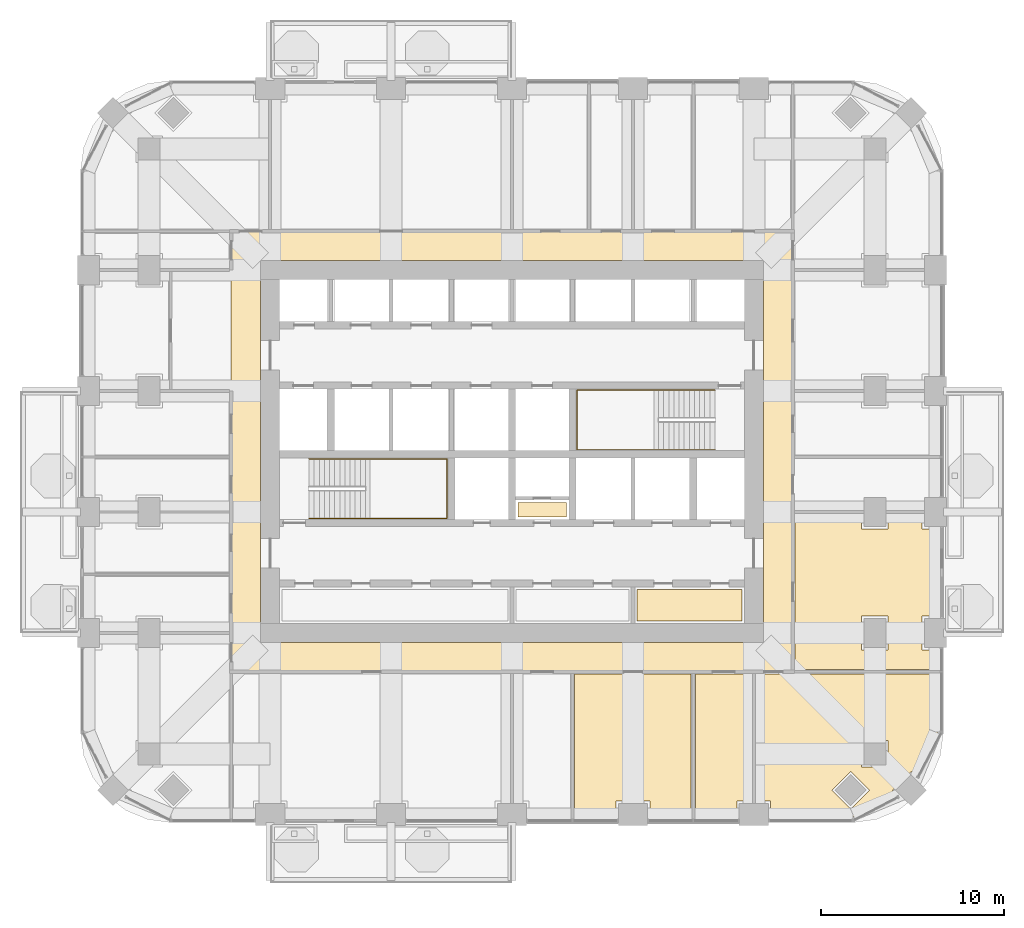
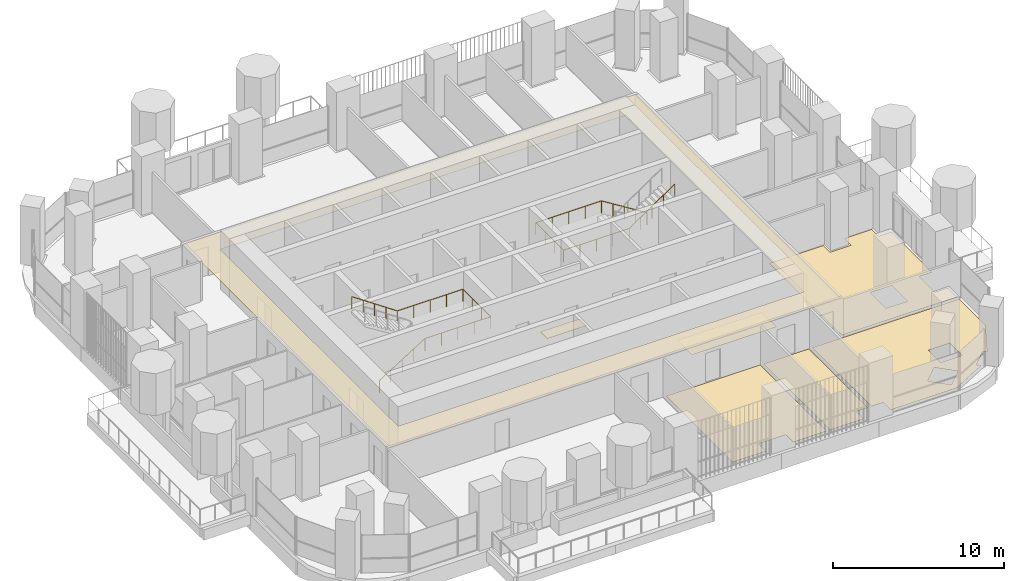
# One storey, part 17 of 20: 7 coverings, 2 railings.
"""IFC4 building model written with IfcOpenShell, lengths in metres."""

from ifc_helpers import new_model, si_unit, direction, frame, origin, place, context, subcontext, project, spatial, polyline, outline, extrude, material, layer, layer_set, type_object, element, save


model = new_model("IFC4")

# Units and contexts
model_context = context("Model", 3, precision=1e-05, world=origin(), true_north=direction((0.0, 1.0)))
body_context = subcontext(model_context, "Body", "Model", "MODEL_VIEW")
ifc_project = project(units=[si_unit("LENGTHUNIT", "METRE"), si_unit("AREAUNIT", "SQUARE_METRE"), si_unit("VOLUMEUNIT", "CUBIC_METRE"), si_unit("PLANEANGLEUNIT", "RADIAN"), si_unit("MASSUNIT", "GRAM", prefix="KILO")], contexts=[model_context])

# Site, building, storey
site_placement = place(None, origin())
site = spatial("IfcSite", under=ifc_project, at=site_placement, CompositionType="ELEMENT")
building_placement = place(site_placement, origin())
building = spatial("IfcBuilding", under=site, at=building_placement, Name="Cobogo Forest Laboratory Tower", CompositionType="ELEMENT")
storey_placement = place(building_placement, frame((0.0, 0.0, 168.300048828125)))
storey = spatial("IfcBuildingStorey", under=building, at=storey_placement, Name="L38", CompositionType="ELEMENT", Elevation=168.300048828125)

# Coverings
ifc_material_1 = material(Name="Mineral fibre ceiling tile", Category="ceiling")
ifc_layer_1 = layer(ifc_material_1, 0.02001953125)
ifc_layer_set_1 = layer_set([ifc_layer_1], Name="CL1 suspended ceiling")
covering_type_1 = type_object("IfcCoveringType", Name="CL1 suspended ceiling", PredefinedType="CEILING", material=ifc_layer_set_1)
covering_1_placement = place(storey_placement, frame((0.0, 0.0, 2.800048828125)))
element("IfcCovering", 1, at=covering_1_placement, inside=storey, type_object=covering_type_1, Name="Corridor ceiling L38", PredefinedType="CEILING", context=body_context, shape_type="SweptSolid", body=[
    extrude(outline(polyline([(11.074951171875, 11.074951171875), (11.074951171875, 35.125), (41.72509765625, 35.125), (41.72509765625, 11.074951171875), (11.074951171875, 11.074951171875)]), holes=[polyline([(40.125, 33.52490234375), (12.675048828125, 33.52490234375), (12.675048828125, 12.675048828125), (40.125, 12.675048828125), (40.125, 33.52490234375)])]), origin(), (0.0, 0.0, 1.0), 0.02001953125),
])
ifc_material_2 = material(Name="Carpet tile on raised access floor", Category="flooring")
ifc_layer_2 = layer(ifc_material_2, 0.008056640625)
ifc_layer_set_2 = layer_set([ifc_layer_2], Name="CT1 carpet tile floor 8")
covering_type_2 = type_object("IfcCoveringType", Name="CT1 carpet tile floor 8", PredefinedType="FLOORING", material=ifc_layer_set_2)
covering_2_placement = place(storey_placement, origin())
element("IfcCovering", 2, at=covering_2_placement, inside=storey, type_object=covering_type_2, Name="Carpet floor L38-03", PredefinedType="FLOORING", context=body_context, shape_type="SweptSolid", body=[
    extrude(outline(polyline([(36.179931640625, 10.955078125), (36.179931640625, 3.14990234375), (33.919921875, 3.14990234375), (33.919921875, 4.02001953125), (32.080078125, 4.02001953125), (32.080078125, 3.14990234375), (29.820068359375, 3.14990234375), (29.820068359375, 10.955078125), (36.179931640625, 10.955078125)])), origin(), (0.0, 0.0, 1.0), 0.008056640625),
])
covering_3_placement = place(storey_placement, origin())
element("IfcCovering", 3, at=covering_3_placement, inside=storey, type_object=covering_type_2, Name="Carpet floor L38-05", PredefinedType="FLOORING", context=body_context, shape_type="SweptSolid", body=[
    extrude(outline(polyline([(49.64990234375, 10.955078125), (49.64990234375, 7.84912109375), (48.384033203125, 5.434326171875), (48.181884765625, 5.63623046875), (47.163818359375, 4.617919921875), (47.36572265625, 4.416015625), (44.95068359375, 3.14990234375), (40.52001953125, 3.14990234375), (40.52001953125, 4.02001953125), (39.719970703125, 4.02001953125), (39.719970703125, 10.955078125), (49.64990234375, 10.955078125)]), holes=[polyline([(45.47998046875, 5.8798828125), (46.919921875, 5.8798828125), (46.919921875, 7.320068359375), (45.47998046875, 7.320068359375), (45.47998046875, 5.8798828125)]), polyline([(44.882080078125, 3.599853515625), (45.900146484375, 4.617919921875), (44.882080078125, 5.63623046875), (43.86376953125, 4.617919921875), (44.882080078125, 3.599853515625)])]), origin(), (0.0, 0.0, 1.0), 0.008056640625),
])
covering_4_placement = place(storey_placement, origin())
element("IfcCovering", 4, at=covering_4_placement, inside=storey, type_object=covering_type_2, Name="Carpet floor L38-06", PredefinedType="FLOORING", context=body_context, shape_type="SweptSolid", body=[
    extrude(outline(polyline([(41.844970703125, 19.679931640625), (45.47998046875, 19.679931640625), (45.47998046875, 18.8798828125), (46.919921875, 18.8798828125), (46.919921875, 19.679931640625), (48.780029296875, 19.679931640625), (48.780029296875, 18.8798828125), (49.64990234375, 18.8798828125), (49.64990234375, 14.1201171875), (48.780029296875, 14.1201171875), (48.780029296875, 12.280029296875), (49.64990234375, 12.280029296875), (49.64990234375, 11.195068359375), (41.844970703125, 11.195068359375), (41.844970703125, 19.679931640625)]), holes=[polyline([(46.919921875, 12.280029296875), (46.919921875, 14.1201171875), (45.47998046875, 14.1201171875), (45.47998046875, 12.280029296875), (46.919921875, 12.280029296875)])]), origin(), (0.0, 0.0, 1.0), 0.008056640625),
])
covering_5_placement = place(storey_placement, origin())
element("IfcCovering", 5, at=covering_5_placement, inside=storey, type_object=covering_type_2, Name="Carpet floor L38-30", PredefinedType="FLOORING", context=body_context, shape_type="SweptSolid", body=[
    extrude(outline(polyline([(29.3798828125, 19.52001953125), (26.719970703125, 19.52001953125), (26.719970703125, 20.330078125), (29.3798828125, 20.330078125), (29.3798828125, 19.52001953125)])), origin(), (0.0, 0.0, 1.0), 0.008056640625),
])
covering_6_placement = place(storey_placement, origin())
element("IfcCovering", 6, at=covering_6_placement, inside=storey, type_object=covering_type_2, Name="Carpet floor L38-34", PredefinedType="FLOORING", context=body_context, shape_type="SweptSolid", body=[
    extrude(outline(polyline([(38.955078125, 13.844970703125), (33.219970703125, 13.844970703125), (33.219970703125, 15.580078125), (38.955078125, 15.580078125), (38.955078125, 13.844970703125)])), origin(), (0.0, 0.0, 1.0), 0.008056640625),
])

# Railings
ifc_material_3 = material(Name="Stainless steel handrail", Category="steel")
railing_type = type_object("IfcRailingType", Name="HR handrail 900", PredefinedType="HANDRAIL", material=ifc_material_3)
railing_1_placement = place(storey_placement, frame((15.324951171875, 19.449951171875, 0.175048828125)))
element("IfcRailing", 7, at=railing_1_placement, inside=storey, type_object=railing_type, Name="Stair handrail ST1 L38", PredefinedType="HANDRAIL", context=body_context, shape_type="SweptSolid", body=[
    extrude(outline(polyline([(0.022216796875, 0.00927734375), (0.00927734375, 0.022216796875), (-0.00927734375, 0.022216796875), (-0.022216796875, 0.00927734375), (-0.022216796875, -0.00927734375), (-0.00927734375, -0.022216796875), (0.00927734375, -0.022216796875), (0.022216796875, -0.00927734375), (0.022216796875, 0.00927734375)])), frame((0.0, 0.0, 0.877685546875), z_axis=(0.848028513186, 0.0, 0.529950602248), x_axis=(0.0, 1.0, 0.0)), (0.0, 0.0, 1.0), 3.632080078125),
    extrude(outline(polyline([(0.022216796875, 0.00927734375), (0.00927734375, 0.022216796875), (-0.00927734375, 0.022216796875), (-0.022216796875, 0.00927734375), (-0.022216796875, -0.00927734375), (-0.00927734375, -0.022216796875), (0.00927734375, -0.022216796875), (0.022216796875, -0.00927734375), (0.022216796875, 0.00927734375)])), frame((3.080078125, 0.0, 2.802490234375), z_axis=(1.0, 0.0, 0.0), x_axis=(0.0, 1.0, 0.0)), (0.0, 0.0, 1.0), 4.445068359375),
    extrude(outline(polyline([(0.022216796875, 0.00927734375), (0.00927734375, 0.022216796875), (-0.00927734375, 0.022216796875), (-0.022216796875, 0.00927734375), (-0.022216796875, -0.00927734375), (-0.00927734375, -0.022216796875), (0.00927734375, -0.022216796875), (0.022216796875, -0.00927734375), (0.022216796875, 0.00927734375)])), frame((7.525146484375, 0.0, 2.802490234375), z_axis=(0.0, 1.0, 0.0), x_axis=(-1.0, 0.0, 0.0)), (0.0, 0.0, 1.0), 3.25),
    extrude(outline(polyline([(0.022216796875, 0.00927734375), (0.00927734375, 0.022216796875), (-0.00927734375, 0.022216796875), (-0.022216796875, 0.00927734375), (-0.022216796875, -0.00927734375), (-0.00927734375, -0.022216796875), (0.00927734375, -0.022216796875), (0.022216796875, -0.00927734375), (0.022216796875, 0.00927734375)])), frame((7.525146484375, 3.25, 2.802490234375), z_axis=(-1.0, 0.0, 0.0), x_axis=(0.0, -1.0, 0.0)), (0.0, 0.0, 1.0), 4.445068359375),
    extrude(outline(polyline([(0.022216796875, 0.00927734375), (0.00927734375, 0.022216796875), (-0.00927734375, 0.022216796875), (-0.022216796875, 0.00927734375), (-0.022216796875, -0.00927734375), (-0.00927734375, -0.022216796875), (0.00927734375, -0.022216796875), (0.022216796875, -0.00927734375), (0.022216796875, 0.00927734375)])), frame((3.080078125, 3.25, 2.802490234375), z_axis=(-0.826221800596, 0.0, 0.563344953133), x_axis=(0.0, -1.0, 0.0)), (0.0, 0.0, 1.0), 3.72802734375),
    extrude(outline(polyline([(0.019287109375, 0.008056640625), (0.008056640625, 0.019287109375), (-0.008056640625, 0.019287109375), (-0.019287109375, 0.008056640625), (-0.019287109375, -0.008056640625), (-0.008056640625, -0.019287109375), (0.008056640625, -0.019287109375), (0.019287109375, -0.008056640625), (0.019287109375, 0.008056640625)])), origin(), (0.0, 0.0, 1.0), 0.877685546875),
    extrude(outline(polyline([(0.019287109375, 0.008056640625), (0.008056640625, 0.019287109375), (-0.008056640625, 0.019287109375), (-0.019287109375, 0.008056640625), (-0.019287109375, -0.008056640625), (-0.008056640625, -0.019287109375), (0.008056640625, -0.019287109375), (0.019287109375, -0.008056640625), (0.019287109375, 0.008056640625)])), frame((0.77001953125, 0.0, 0.481201171875)), (0.0, 0.0, 1.0), 0.877685546875),
    extrude(outline(polyline([(0.019287109375, 0.008056640625), (0.008056640625, 0.019287109375), (-0.008056640625, 0.019287109375), (-0.019287109375, 0.008056640625), (-0.019287109375, -0.008056640625), (-0.008056640625, -0.019287109375), (0.008056640625, -0.019287109375), (0.019287109375, -0.008056640625), (0.019287109375, 0.008056640625)])), frame((1.5400390625, 0.0, 0.96240234375)), (0.0, 0.0, 1.0), 0.877685546875),
    extrude(outline(polyline([(0.019287109375, 0.008056640625), (0.008056640625, 0.019287109375), (-0.008056640625, 0.019287109375), (-0.019287109375, 0.008056640625), (-0.019287109375, -0.008056640625), (-0.008056640625, -0.019287109375), (0.008056640625, -0.019287109375), (0.019287109375, -0.008056640625), (0.019287109375, 0.008056640625)])), frame((2.31005859375, 0.0, 1.443603515625)), (0.0, 0.0, 1.0), 0.877685546875),
    extrude(outline(polyline([(0.019287109375, 0.008056640625), (0.008056640625, 0.019287109375), (-0.008056640625, 0.019287109375), (-0.019287109375, 0.008056640625), (-0.019287109375, -0.008056640625), (-0.008056640625, -0.019287109375), (0.008056640625, -0.019287109375), (0.019287109375, -0.008056640625), (0.019287109375, 0.008056640625)])), frame((3.080078125, 0.0, 1.9248046875)), (0.0, 0.0, 1.0), 0.877685546875),
    extrude(outline(polyline([(0.019287109375, 0.008056640625), (0.008056640625, 0.019287109375), (-0.008056640625, 0.019287109375), (-0.019287109375, 0.008056640625), (-0.019287109375, -0.008056640625), (-0.008056640625, -0.019287109375), (0.008056640625, -0.019287109375), (0.019287109375, -0.008056640625), (0.019287109375, 0.008056640625)])), frame((4.19140625, 0.0, 1.9248046875)), (0.0, 0.0, 1.0), 0.877685546875),
    extrude(outline(polyline([(0.019287109375, 0.008056640625), (0.008056640625, 0.019287109375), (-0.008056640625, 0.019287109375), (-0.019287109375, 0.008056640625), (-0.019287109375, -0.008056640625), (-0.008056640625, -0.019287109375), (0.008056640625, -0.019287109375), (0.019287109375, -0.008056640625), (0.019287109375, 0.008056640625)])), frame((5.302734375, 0.0, 1.9248046875)), (0.0, 0.0, 1.0), 0.877685546875),
    extrude(outline(polyline([(0.019287109375, 0.008056640625), (0.008056640625, 0.019287109375), (-0.008056640625, 0.019287109375), (-0.019287109375, 0.008056640625), (-0.019287109375, -0.008056640625), (-0.008056640625, -0.019287109375), (0.008056640625, -0.019287109375), (0.019287109375, -0.008056640625), (0.019287109375, 0.008056640625)])), frame((6.413818359375, 0.0, 1.9248046875)), (0.0, 0.0, 1.0), 0.877685546875),
    extrude(outline(polyline([(0.019287109375, 0.008056640625), (0.008056640625, 0.019287109375), (-0.008056640625, 0.019287109375), (-0.019287109375, 0.008056640625), (-0.019287109375, -0.008056640625), (-0.008056640625, -0.019287109375), (0.008056640625, -0.019287109375), (0.019287109375, -0.008056640625), (0.019287109375, 0.008056640625)])), frame((7.525146484375, 0.0, 1.9248046875)), (0.0, 0.0, 1.0), 0.877685546875),
    extrude(outline(polyline([(0.019287109375, 0.008056640625), (0.008056640625, 0.019287109375), (-0.008056640625, 0.019287109375), (-0.019287109375, 0.008056640625), (-0.019287109375, -0.008056640625), (-0.008056640625, -0.019287109375), (0.008056640625, -0.019287109375), (0.019287109375, -0.008056640625), (0.019287109375, 0.008056640625)])), frame((7.525146484375, 1.083251953125, 1.9248046875)), (0.0, 0.0, 1.0), 0.877685546875),
    extrude(outline(polyline([(0.019287109375, 0.008056640625), (0.008056640625, 0.019287109375), (-0.008056640625, 0.019287109375), (-0.019287109375, 0.008056640625), (-0.019287109375, -0.008056640625), (-0.008056640625, -0.019287109375), (0.008056640625, -0.019287109375), (0.019287109375, -0.008056640625), (0.019287109375, 0.008056640625)])), frame((7.525146484375, 2.166748046875, 1.9248046875)), (0.0, 0.0, 1.0), 0.877685546875),
    extrude(outline(polyline([(0.019287109375, 0.008056640625), (0.008056640625, 0.019287109375), (-0.008056640625, 0.019287109375), (-0.019287109375, 0.008056640625), (-0.019287109375, -0.008056640625), (-0.008056640625, -0.019287109375), (0.008056640625, -0.019287109375), (0.019287109375, -0.008056640625), (0.019287109375, 0.008056640625)])), frame((7.525146484375, 3.25, 1.9248046875)), (0.0, 0.0, 1.0), 0.877685546875),
    extrude(outline(polyline([(0.019287109375, 0.008056640625), (0.008056640625, 0.019287109375), (-0.008056640625, 0.019287109375), (-0.019287109375, 0.008056640625), (-0.019287109375, -0.008056640625), (-0.008056640625, -0.019287109375), (0.008056640625, -0.019287109375), (0.019287109375, -0.008056640625), (0.019287109375, 0.008056640625)])), frame((6.413818359375, 3.25, 1.9248046875)), (0.0, 0.0, 1.0), 0.877685546875),
    extrude(outline(polyline([(0.019287109375, 0.008056640625), (0.008056640625, 0.019287109375), (-0.008056640625, 0.019287109375), (-0.019287109375, 0.008056640625), (-0.019287109375, -0.008056640625), (-0.008056640625, -0.019287109375), (0.008056640625, -0.019287109375), (0.019287109375, -0.008056640625), (0.019287109375, 0.008056640625)])), frame((5.302734375, 3.25, 1.9248046875)), (0.0, 0.0, 1.0), 0.877685546875),
    extrude(outline(polyline([(0.019287109375, 0.008056640625), (0.008056640625, 0.019287109375), (-0.008056640625, 0.019287109375), (-0.019287109375, 0.008056640625), (-0.019287109375, -0.008056640625), (-0.008056640625, -0.019287109375), (0.008056640625, -0.019287109375), (0.019287109375, -0.008056640625), (0.019287109375, 0.008056640625)])), frame((4.19140625, 3.25, 1.9248046875)), (0.0, 0.0, 1.0), 0.877685546875),
    extrude(outline(polyline([(0.019287109375, 0.008056640625), (0.008056640625, 0.019287109375), (-0.008056640625, 0.019287109375), (-0.019287109375, 0.008056640625), (-0.019287109375, -0.008056640625), (-0.008056640625, -0.019287109375), (0.008056640625, -0.019287109375), (0.019287109375, -0.008056640625), (0.019287109375, 0.008056640625)])), frame((3.080078125, 3.25, 1.9248046875)), (0.0, 0.0, 1.0), 0.877685546875),
    extrude(outline(polyline([(0.019287109375, 0.008056640625), (0.008056640625, 0.019287109375), (-0.008056640625, 0.019287109375), (-0.019287109375, 0.008056640625), (-0.019287109375, -0.008056640625), (-0.008056640625, -0.019287109375), (0.008056640625, -0.019287109375), (0.019287109375, -0.008056640625), (0.019287109375, 0.008056640625)])), frame((2.31005859375, 3.25, 2.44970703125)), (0.0, 0.0, 1.0), 0.877685546875),
    extrude(outline(polyline([(0.019287109375, 0.008056640625), (0.008056640625, 0.019287109375), (-0.008056640625, 0.019287109375), (-0.019287109375, 0.008056640625), (-0.019287109375, -0.008056640625), (-0.008056640625, -0.019287109375), (0.008056640625, -0.019287109375), (0.019287109375, -0.008056640625), (0.019287109375, 0.008056640625)])), frame((1.5400390625, 3.25, 2.974853515625)), (0.0, 0.0, 1.0), 0.877685546875),
    extrude(outline(polyline([(0.019287109375, 0.008056640625), (0.008056640625, 0.019287109375), (-0.008056640625, 0.019287109375), (-0.019287109375, 0.008056640625), (-0.019287109375, -0.008056640625), (-0.008056640625, -0.019287109375), (0.008056640625, -0.019287109375), (0.019287109375, -0.008056640625), (0.019287109375, 0.008056640625)])), frame((0.77001953125, 3.25, 3.5)), (0.0, 0.0, 1.0), 0.877685546875),
    extrude(outline(polyline([(0.019287109375, 0.008056640625), (0.008056640625, 0.019287109375), (-0.008056640625, 0.019287109375), (-0.019287109375, 0.008056640625), (-0.019287109375, -0.008056640625), (-0.008056640625, -0.019287109375), (0.008056640625, -0.019287109375), (0.019287109375, -0.008056640625), (0.019287109375, 0.008056640625)])), frame((0.0, 3.25, 4.02490234375)), (0.0, 0.0, 1.0), 0.877685546875),
])
railing_2_placement = place(storey_placement, frame((37.47509765625, 26.449951171875, 0.175048828125)))
element("IfcRailing", 8, at=railing_2_placement, inside=storey, type_object=railing_type, Name="Stair handrail ST2 L38", PredefinedType="HANDRAIL", context=body_context, shape_type="SweptSolid", body=[
    extrude(outline(polyline([(0.022216796875, 0.00927734375), (0.00927734375, 0.022216796875), (-0.00927734375, 0.022216796875), (-0.022216796875, 0.00927734375), (-0.022216796875, -0.00927734375), (-0.00927734375, -0.022216796875), (0.00927734375, -0.022216796875), (0.022216796875, -0.00927734375), (0.022216796875, 0.00927734375)])), frame((0.0, 0.0, 0.877685546875), z_axis=(-0.848028513186, 0.0, 0.529950602248), x_axis=(0.0, -1.0, 0.0)), (0.0, 0.0, 1.0), 3.632080078125),
    extrude(outline(polyline([(0.022216796875, 0.00927734375), (0.00927734375, 0.022216796875), (-0.00927734375, 0.022216796875), (-0.022216796875, 0.00927734375), (-0.022216796875, -0.00927734375), (-0.00927734375, -0.022216796875), (0.00927734375, -0.022216796875), (0.022216796875, -0.00927734375), (0.022216796875, 0.00927734375)])), frame((-3.080078125, 0.0, 2.802490234375), z_axis=(-1.0, 0.0, 0.0), x_axis=(0.0, -1.0, 0.0)), (0.0, 0.0, 1.0), 4.445068359375),
    extrude(outline(polyline([(0.022216796875, 0.00927734375), (0.00927734375, 0.022216796875), (-0.00927734375, 0.022216796875), (-0.022216796875, 0.00927734375), (-0.022216796875, -0.00927734375), (-0.00927734375, -0.022216796875), (0.00927734375, -0.022216796875), (0.022216796875, -0.00927734375), (0.022216796875, 0.00927734375)])), frame((-7.525146484375, 0.0, 2.802490234375), z_axis=(0.0, -1.0, 0.0), x_axis=(1.0, 0.0, 0.0)), (0.0, 0.0, 1.0), 3.25),
    extrude(outline(polyline([(0.022216796875, 0.00927734375), (0.00927734375, 0.022216796875), (-0.00927734375, 0.022216796875), (-0.022216796875, 0.00927734375), (-0.022216796875, -0.00927734375), (-0.00927734375, -0.022216796875), (0.00927734375, -0.022216796875), (0.022216796875, -0.00927734375), (0.022216796875, 0.00927734375)])), frame((-7.525146484375, -3.25, 2.802490234375), z_axis=(1.0, 0.0, 0.0), x_axis=(0.0, 1.0, 0.0)), (0.0, 0.0, 1.0), 4.445068359375),
    extrude(outline(polyline([(0.022216796875, 0.00927734375), (0.00927734375, 0.022216796875), (-0.00927734375, 0.022216796875), (-0.022216796875, 0.00927734375), (-0.022216796875, -0.00927734375), (-0.00927734375, -0.022216796875), (0.00927734375, -0.022216796875), (0.022216796875, -0.00927734375), (0.022216796875, 0.00927734375)])), frame((-3.080078125, -3.25, 2.802490234375), z_axis=(0.826221800596, 0.0, 0.563344953133), x_axis=(0.0, 1.0, 0.0)), (0.0, 0.0, 1.0), 3.72802734375),
    extrude(outline(polyline([(0.019287109375, 0.008056640625), (0.008056640625, 0.019287109375), (-0.008056640625, 0.019287109375), (-0.019287109375, 0.008056640625), (-0.019287109375, -0.008056640625), (-0.008056640625, -0.019287109375), (0.008056640625, -0.019287109375), (0.019287109375, -0.008056640625), (0.019287109375, 0.008056640625)])), origin(), (0.0, 0.0, 1.0), 0.877685546875),
    extrude(outline(polyline([(0.019287109375, 0.008056640625), (0.008056640625, 0.019287109375), (-0.008056640625, 0.019287109375), (-0.019287109375, 0.008056640625), (-0.019287109375, -0.008056640625), (-0.008056640625, -0.019287109375), (0.008056640625, -0.019287109375), (0.019287109375, -0.008056640625), (0.019287109375, 0.008056640625)])), frame((-0.77001953125, 0.0, 0.481201171875)), (0.0, 0.0, 1.0), 0.877685546875),
    extrude(outline(polyline([(0.019287109375, 0.008056640625), (0.008056640625, 0.019287109375), (-0.008056640625, 0.019287109375), (-0.019287109375, 0.008056640625), (-0.019287109375, -0.008056640625), (-0.008056640625, -0.019287109375), (0.008056640625, -0.019287109375), (0.019287109375, -0.008056640625), (0.019287109375, 0.008056640625)])), frame((-1.5400390625, 0.0, 0.96240234375)), (0.0, 0.0, 1.0), 0.877685546875),
    extrude(outline(polyline([(0.019287109375, 0.008056640625), (0.008056640625, 0.019287109375), (-0.008056640625, 0.019287109375), (-0.019287109375, 0.008056640625), (-0.019287109375, -0.008056640625), (-0.008056640625, -0.019287109375), (0.008056640625, -0.019287109375), (0.019287109375, -0.008056640625), (0.019287109375, 0.008056640625)])), frame((-2.31005859375, 0.0, 1.443603515625)), (0.0, 0.0, 1.0), 0.877685546875),
    extrude(outline(polyline([(0.019287109375, 0.008056640625), (0.008056640625, 0.019287109375), (-0.008056640625, 0.019287109375), (-0.019287109375, 0.008056640625), (-0.019287109375, -0.008056640625), (-0.008056640625, -0.019287109375), (0.008056640625, -0.019287109375), (0.019287109375, -0.008056640625), (0.019287109375, 0.008056640625)])), frame((-3.080078125, 0.0, 1.9248046875)), (0.0, 0.0, 1.0), 0.877685546875),
    extrude(outline(polyline([(0.019287109375, 0.008056640625), (0.008056640625, 0.019287109375), (-0.008056640625, 0.019287109375), (-0.019287109375, 0.008056640625), (-0.019287109375, -0.008056640625), (-0.008056640625, -0.019287109375), (0.008056640625, -0.019287109375), (0.019287109375, -0.008056640625), (0.019287109375, 0.008056640625)])), frame((-4.19140625, 0.0, 1.9248046875)), (0.0, 0.0, 1.0), 0.877685546875),
    extrude(outline(polyline([(0.019287109375, 0.008056640625), (0.008056640625, 0.019287109375), (-0.008056640625, 0.019287109375), (-0.019287109375, 0.008056640625), (-0.019287109375, -0.008056640625), (-0.008056640625, -0.019287109375), (0.008056640625, -0.019287109375), (0.019287109375, -0.008056640625), (0.019287109375, 0.008056640625)])), frame((-5.302734375, 0.0, 1.9248046875)), (0.0, 0.0, 1.0), 0.877685546875),
    extrude(outline(polyline([(0.019287109375, 0.008056640625), (0.008056640625, 0.019287109375), (-0.008056640625, 0.019287109375), (-0.019287109375, 0.008056640625), (-0.019287109375, -0.008056640625), (-0.008056640625, -0.019287109375), (0.008056640625, -0.019287109375), (0.019287109375, -0.008056640625), (0.019287109375, 0.008056640625)])), frame((-6.413818359375, 0.0, 1.9248046875)), (0.0, 0.0, 1.0), 0.877685546875),
    extrude(outline(polyline([(0.019287109375, 0.008056640625), (0.008056640625, 0.019287109375), (-0.008056640625, 0.019287109375), (-0.019287109375, 0.008056640625), (-0.019287109375, -0.008056640625), (-0.008056640625, -0.019287109375), (0.008056640625, -0.019287109375), (0.019287109375, -0.008056640625), (0.019287109375, 0.008056640625)])), frame((-7.525146484375, 0.0, 1.9248046875)), (0.0, 0.0, 1.0), 0.877685546875),
    extrude(outline(polyline([(0.019287109375, 0.008056640625), (0.008056640625, 0.019287109375), (-0.008056640625, 0.019287109375), (-0.019287109375, 0.008056640625), (-0.019287109375, -0.008056640625), (-0.008056640625, -0.019287109375), (0.008056640625, -0.019287109375), (0.019287109375, -0.008056640625), (0.019287109375, 0.008056640625)])), frame((-7.525146484375, -1.083251953125, 1.9248046875)), (0.0, 0.0, 1.0), 0.877685546875),
    extrude(outline(polyline([(0.019287109375, 0.008056640625), (0.008056640625, 0.019287109375), (-0.008056640625, 0.019287109375), (-0.019287109375, 0.008056640625), (-0.019287109375, -0.008056640625), (-0.008056640625, -0.019287109375), (0.008056640625, -0.019287109375), (0.019287109375, -0.008056640625), (0.019287109375, 0.008056640625)])), frame((-7.525146484375, -2.166748046875, 1.9248046875)), (0.0, 0.0, 1.0), 0.877685546875),
    extrude(outline(polyline([(0.019287109375, 0.008056640625), (0.008056640625, 0.019287109375), (-0.008056640625, 0.019287109375), (-0.019287109375, 0.008056640625), (-0.019287109375, -0.008056640625), (-0.008056640625, -0.019287109375), (0.008056640625, -0.019287109375), (0.019287109375, -0.008056640625), (0.019287109375, 0.008056640625)])), frame((-7.525146484375, -3.25, 1.9248046875)), (0.0, 0.0, 1.0), 0.877685546875),
    extrude(outline(polyline([(0.019287109375, 0.008056640625), (0.008056640625, 0.019287109375), (-0.008056640625, 0.019287109375), (-0.019287109375, 0.008056640625), (-0.019287109375, -0.008056640625), (-0.008056640625, -0.019287109375), (0.008056640625, -0.019287109375), (0.019287109375, -0.008056640625), (0.019287109375, 0.008056640625)])), frame((-6.413818359375, -3.25, 1.9248046875)), (0.0, 0.0, 1.0), 0.877685546875),
    extrude(outline(polyline([(0.019287109375, 0.008056640625), (0.008056640625, 0.019287109375), (-0.008056640625, 0.019287109375), (-0.019287109375, 0.008056640625), (-0.019287109375, -0.008056640625), (-0.008056640625, -0.019287109375), (0.008056640625, -0.019287109375), (0.019287109375, -0.008056640625), (0.019287109375, 0.008056640625)])), frame((-5.302734375, -3.25, 1.9248046875)), (0.0, 0.0, 1.0), 0.877685546875),
    extrude(outline(polyline([(0.019287109375, 0.008056640625), (0.008056640625, 0.019287109375), (-0.008056640625, 0.019287109375), (-0.019287109375, 0.008056640625), (-0.019287109375, -0.008056640625), (-0.008056640625, -0.019287109375), (0.008056640625, -0.019287109375), (0.019287109375, -0.008056640625), (0.019287109375, 0.008056640625)])), frame((-4.19140625, -3.25, 1.9248046875)), (0.0, 0.0, 1.0), 0.877685546875),
    extrude(outline(polyline([(0.019287109375, 0.008056640625), (0.008056640625, 0.019287109375), (-0.008056640625, 0.019287109375), (-0.019287109375, 0.008056640625), (-0.019287109375, -0.008056640625), (-0.008056640625, -0.019287109375), (0.008056640625, -0.019287109375), (0.019287109375, -0.008056640625), (0.019287109375, 0.008056640625)])), frame((-3.080078125, -3.25, 1.9248046875)), (0.0, 0.0, 1.0), 0.877685546875),
    extrude(outline(polyline([(0.019287109375, 0.008056640625), (0.008056640625, 0.019287109375), (-0.008056640625, 0.019287109375), (-0.019287109375, 0.008056640625), (-0.019287109375, -0.008056640625), (-0.008056640625, -0.019287109375), (0.008056640625, -0.019287109375), (0.019287109375, -0.008056640625), (0.019287109375, 0.008056640625)])), frame((-2.31005859375, -3.25, 2.44970703125)), (0.0, 0.0, 1.0), 0.877685546875),
    extrude(outline(polyline([(0.019287109375, 0.008056640625), (0.008056640625, 0.019287109375), (-0.008056640625, 0.019287109375), (-0.019287109375, 0.008056640625), (-0.019287109375, -0.008056640625), (-0.008056640625, -0.019287109375), (0.008056640625, -0.019287109375), (0.019287109375, -0.008056640625), (0.019287109375, 0.008056640625)])), frame((-1.5400390625, -3.25, 2.974853515625)), (0.0, 0.0, 1.0), 0.877685546875),
    extrude(outline(polyline([(0.019287109375, 0.008056640625), (0.008056640625, 0.019287109375), (-0.008056640625, 0.019287109375), (-0.019287109375, 0.008056640625), (-0.019287109375, -0.008056640625), (-0.008056640625, -0.019287109375), (0.008056640625, -0.019287109375), (0.019287109375, -0.008056640625), (0.019287109375, 0.008056640625)])), frame((-0.77001953125, -3.25, 3.5)), (0.0, 0.0, 1.0), 0.877685546875),
    extrude(outline(polyline([(0.019287109375, 0.008056640625), (0.008056640625, 0.019287109375), (-0.008056640625, 0.019287109375), (-0.019287109375, 0.008056640625), (-0.019287109375, -0.008056640625), (-0.008056640625, -0.019287109375), (0.008056640625, -0.019287109375), (0.019287109375, -0.008056640625), (0.019287109375, 0.008056640625)])), frame((0.0, -3.25, 4.02490234375)), (0.0, 0.0, 1.0), 0.877685546875),
])

# Covering
ifc_material_4 = material(Name="Static-dissipative vinyl flooring", Category="flooring")
ifc_layer_3 = layer(ifc_material_4, 0.0029296875)
ifc_layer_set_3 = layer_set([ifc_layer_3], Name="SD1 static-dissipative vinyl floor 3")
covering_type_3 = type_object("IfcCoveringType", Name="SD1 static-dissipative vinyl floor 3", PredefinedType="FLOORING", material=ifc_layer_set_3)
covering_7_placement = place(storey_placement, origin())
element("IfcCovering", 9, at=covering_7_placement, inside=storey, type_object=covering_type_3, Name="Static-dissipative floor L38-04", PredefinedType="FLOORING", context=body_context, shape_type="SweptSolid", body=[
    extrude(outline(polyline([(39.47998046875, 10.955078125), (39.47998046875, 4.02001953125), (38.679931640625, 4.02001953125), (38.679931640625, 3.14990234375), (36.419921875, 3.14990234375), (36.419921875, 10.955078125), (39.47998046875, 10.955078125)])), origin(), (0.0, 0.0, 1.0), 0.0029296875),
])

save(model, "model.ifc")
